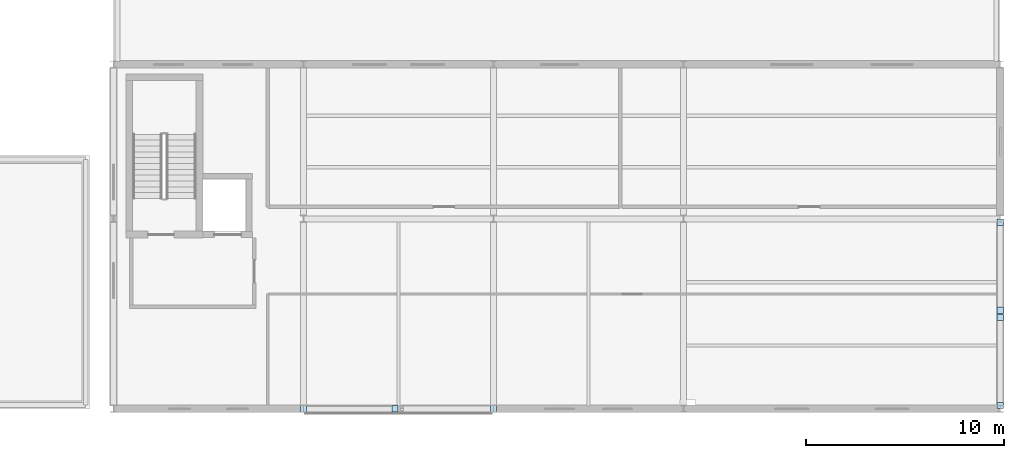
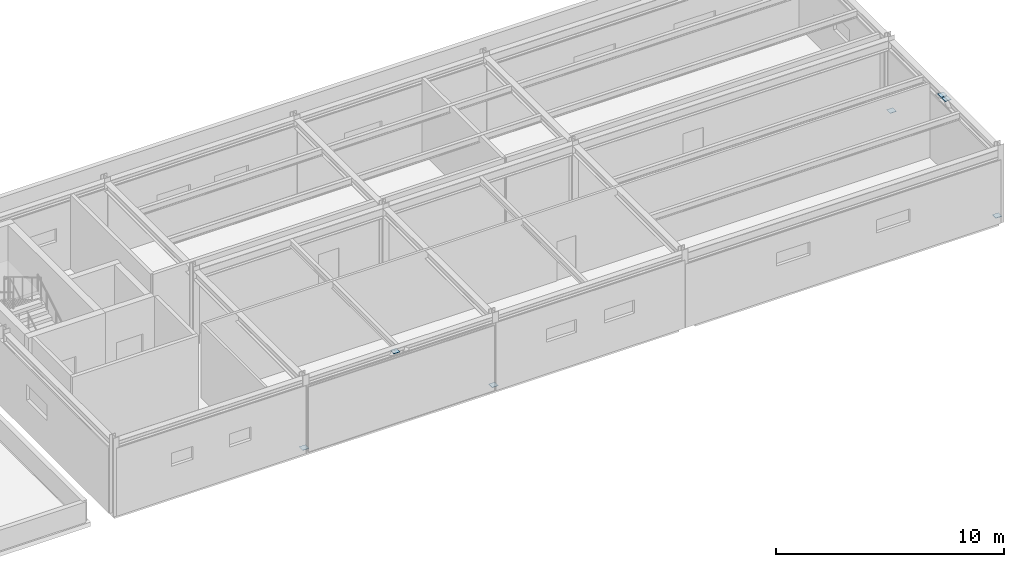
# One storey, part 68 of 88: 7 plates.
"""IFC4 building model written with IfcOpenShell, lengths in metres."""

from ifc_helpers import new_model, si_unit, direction, frame, origin, origin_2d, place, context, subcontext, project, spatial, rectangle, extrude, material, layer, layer_set, type_object, element, save


model = new_model("IFC4")

# Units and contexts
model_context = context("Model", 3, precision=1e-05, world=origin(), true_north=direction((0.0, 1.0)))
body_context = subcontext(model_context, "Body", "Model", "MODEL_VIEW")
ifc_project = project(units=[si_unit("LENGTHUNIT", "METRE"), si_unit("AREAUNIT", "SQUARE_METRE"), si_unit("VOLUMEUNIT", "CUBIC_METRE"), si_unit("PLANEANGLEUNIT", "RADIAN"), si_unit("MASSUNIT", "GRAM", prefix="KILO")], contexts=[model_context])

# Site, building, storey
site_placement = place(None, origin())
site = spatial("IfcSite", under=ifc_project, at=site_placement, CompositionType="ELEMENT")
building_placement = place(site_placement, origin())
building = spatial("IfcBuilding", under=site, at=building_placement, Name="Nordkorset Police Headquarters", CompositionType="ELEMENT")
storey_placement = place(building_placement, frame((0.0, 0.0, 9.449951171875)))
storey = spatial("IfcBuildingStorey", under=building, at=storey_placement, Name="L02", CompositionType="ELEMENT", Elevation=9.449951171875)

# Plates
ifc_material = material(Name="Steel S355J2", Category="steel")
ifc_layer = layer(ifc_material, 0.02001953125, Name="Steel S355J2")
ifc_layer_set = layer_set([ifc_layer], Name="Steel S355J2")
plate_type = type_object("IfcPlateType", Name="SteelPlate_20mm", PredefinedType="SHEET", material=ifc_layer_set)
for number, where, z_axis, x_axis, name in (
    (1, (136.006103515625, 0.0, 0.18994140625), (0.0, 0.0, 1.0), (1.0, 0.0, 0.0), "Hollow Section End Cap Plate BF-EXT-V6S-L02-D1-0"),
    (2, (140.6201171875, 0.0, 3.739990234375), (0.0, 0.0, 1.0), (1.0, 0.0, 0.0), "Hollow Section End Cap Plate BF-EXT-V6S-L02-D1-1"),
    (3, (145.593994140625, 0.0, 0.18994140625), (0.0, 0.0, 1.0), (1.0, 0.0, 0.0), "Hollow Section End Cap Plate BF-EXT-V6S-L02-D2-0"),
    (4, (171.199951171875, 0.169921875, 0.18994140625), (0.0, 0.0, 1.0), (1.0, 0.0, 0.0), "Hollow Section End Cap Plate BF-EXT-V6E-L02-D1-0"),
    (5, (171.199951171875, 4.6201171875, 3.739990234375), (0.0, 0.0, 1.0), (1.0, 0.0, 0.0), "Hollow Section End Cap Plate BF-EXT-V6E-L02-D1-1"),
    (6, (171.199951171875, 9.429931640625, 0.18994140625), (0.0, 0.0, 1.0), (1.0, 0.0, 0.0), "Hollow Section End Cap Plate BF-EXT-V6E-L02-D2-0"),
    (7, (171.199951171875, 4.97998046875, 3.739990234375), (0.0, 0.0, 1.0), (1.0, 0.0, 0.0), "Hollow Section End Cap Plate BF-EXT-V6E-L02-D2-1"),
):
    element("IfcPlate", number, at=place(storey_placement, frame(where, z_axis=z_axis, x_axis=x_axis)), inside=storey, type_object=plate_type, Name=name, PredefinedType="SHEET", context=body_context, shape_type="SweptSolid", body=[
        extrude(rectangle(XDim=0.31298828125, YDim=0.31298828125, at=origin_2d()), origin(), (0.0, 0.0, 1.0), 0.02001953125),
    ])

save(model, "model.ifc")
